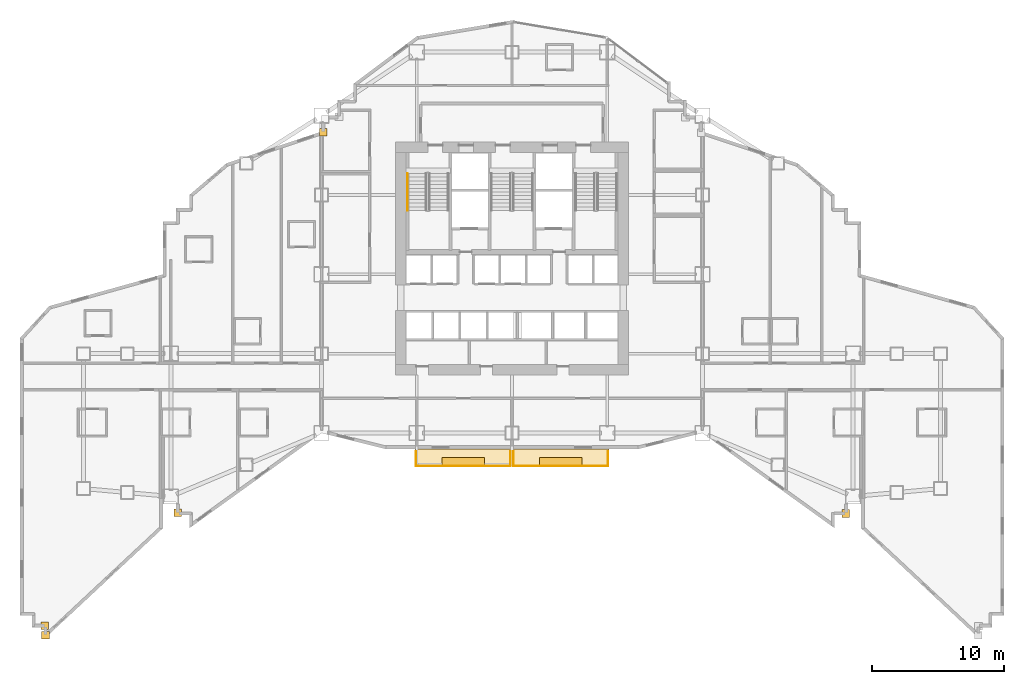
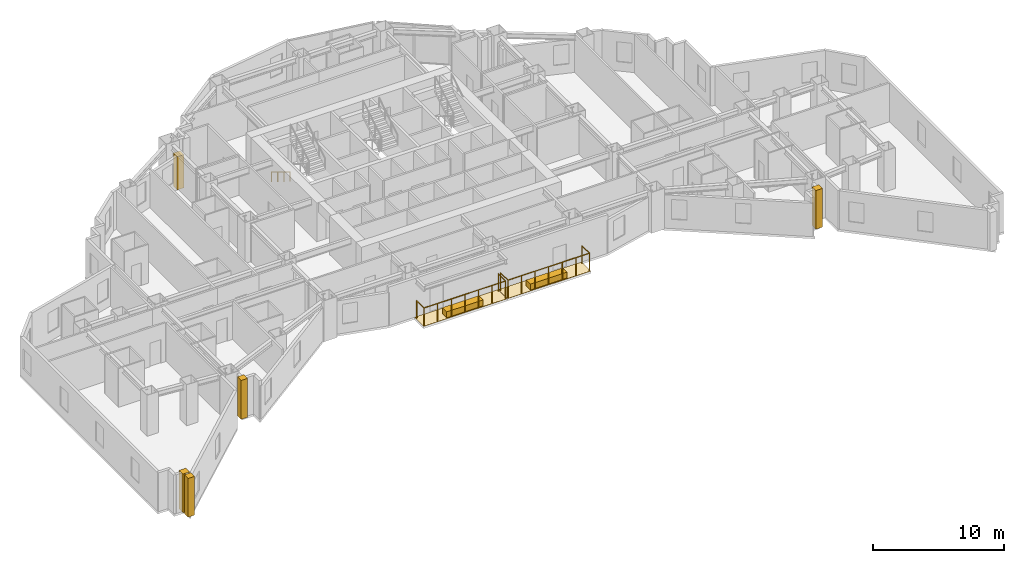
# One storey, part 14 of 16: 9 coverings, 5 railings.
"""IFC4 building model written with IfcOpenShell, lengths in metres."""

import ifcopenshell
import ifcopenshell.guid

model = None  # the IFC model being written
_history = None  # IfcOwnerHistory: only IFC2X3 demands one
_inside = {}  # id of a spatial element -> (the spatial element, [elements in it])
_under = {}  # id of a project, library or spatial element -> (it, [spatial elements below it])
_declared = {}  # id of a project -> (the project, [libraries it declares])
_typed = {}  # id of a type object -> (the type object, [elements of that type])
_made_of = {}  # id of a material, layer set ... -> (it, [elements and type objects made of it])


def new_model(schema):
    """Start an empty IFC model of exactly this schema.

    Asked for "IFC4X3", IfcOpenShell would pick the latest addendum, in which some entities
    have other attributes; the version numbers below select the first issue.
    IFC2X3 requires an IfcOwnerHistory on every rooted entity: one is made here for all.
    """
    global model, _history
    if schema == "IFC4X3":
        model = ifcopenshell.file(schema_version=(4, 3, 0, 0))
    else:
        model = ifcopenshell.file(schema=schema)
    _inside.clear()
    _under.clear()
    _declared.clear()
    _typed.clear()
    _made_of.clear()
    _history = None
    if model.schema == "IFC2X3":
        org = make("IfcOrganization", Name="unknown")
        user = make(
            "IfcPersonAndOrganization",
            ThePerson=make("IfcPerson", FamilyName="unknown"),
            TheOrganization=org,
        )
        app = make(
            "IfcApplication",
            ApplicationDeveloper=org,
            Version="unknown",
            ApplicationFullName="unknown",
            ApplicationIdentifier="unknown",
        )
        _history = make(
            "IfcOwnerHistory",
            OwningUser=user,
            OwningApplication=app,
            ChangeAction="ADDED",
            CreationDate=0,
        )
    return model


def make(cls, **values):
    """One entity of the class cls with the attributes given. An attribute that is None is left unset."""
    return model.create_entity(
        cls, **{name: value for name, value in values.items() if value is not None}
    )


def rooted(cls, **values):
    """An entity with a GlobalId (a new one), such as an element, a storey or a relation."""
    return make(cls, GlobalId=ifcopenshell.guid.new(), OwnerHistory=_history, **values)


def si_unit(unit_type, name, prefix=None):
    """IfcSIUnit, for example si_unit("LENGTHUNIT", "METRE", prefix="MILLI")."""
    return make("IfcSIUnit", UnitType=unit_type, Prefix=prefix, Name=name)


def assignment(units):
    """IfcUnitAssignment: the units of a project."""
    return None if units is None else make("IfcUnitAssignment", Units=units)


def point(xyz):
    """IfcCartesianPoint."""
    return None if xyz is None else make("IfcCartesianPoint", Coordinates=xyz)


def direction(xyz):
    """IfcDirection."""
    return None if xyz is None else make("IfcDirection", DirectionRatios=xyz)


def frame(location, z_axis=None, x_axis=None):
    """IfcAxis2Placement3D, a coordinate frame: its origin and axes. An axis left out is left unset."""
    return make(
        "IfcAxis2Placement3D",
        Location=point(location),
        Axis=direction(z_axis),
        RefDirection=direction(x_axis),
    )


def frame_2d(location, x_axis=None):
    """IfcAxis2Placement2D, a coordinate frame in the plane: its origin and x axis."""
    return make(
        "IfcAxis2Placement2D", Location=point(location), RefDirection=direction(x_axis)
    )


def origin():
    """The frame at (0, 0, 0) with its axes left unset."""
    return frame((0.0, 0.0, 0.0))


def origin_2d():
    """The frame at (0, 0) in the plane with its x axis left unset."""
    return frame_2d((0.0, 0.0))


def place(relative_to, where):
    """IfcLocalPlacement: puts the frame where relative to a parent placement (None: the world)."""
    return make(
        "IfcLocalPlacement", PlacementRelTo=relative_to, RelativePlacement=where
    )


def context(
    kind, dimensions, precision=None, world=None, true_north=None, identifier=None
):
    """IfcGeometricRepresentationContext, for example the 3D "Model" context."""
    return make(
        "IfcGeometricRepresentationContext",
        ContextIdentifier=identifier,
        ContextType=kind,
        CoordinateSpaceDimension=dimensions,
        Precision=precision,
        WorldCoordinateSystem=world,
        TrueNorth=true_north,
    )


def subcontext(parent, identifier, kind, view, scale=None):
    """IfcGeometricRepresentationSubContext, for example "Body" below "Model"."""
    return make(
        "IfcGeometricRepresentationSubContext",
        ContextIdentifier=identifier,
        ContextType=kind,
        ParentContext=parent,
        TargetScale=scale,
        TargetView=view,
    )


def project(units=None, contexts=None):
    """IfcProject with its units and contexts."""
    return rooted(
        "IfcProject",
        Name="project",
        RepresentationContexts=contexts,
        UnitsInContext=assignment(units),
    )


def spatial(cls, under=None, at=None, **own):
    """A site, building, storey or space (cls), placed at a placement, below another one or the project."""
    s = rooted(cls, ObjectPlacement=at, **own)
    if under is not None:
        _under.setdefault(under.id(), (under, []))[1].append(s)
    return s


def polyline(points):
    """IfcPolyline through the points."""
    return make("IfcPolyline", Points=[point(p) for p in points])


def profile(cls, at=None, kind="AREA", **sizes):
    """A parametric profile (cls). Its sizes go by their IFC names, for example OverallWidth=200.0."""
    return make(cls, ProfileType=kind, Position=at, **sizes)


def rectangle(**sizes):
    """IfcRectangleProfileDef."""
    return profile("IfcRectangleProfileDef", **sizes)


def circle(**sizes):
    """IfcCircleProfileDef."""
    return profile("IfcCircleProfileDef", **sizes)


def outline(outer, holes=None, kind="AREA"):
    """IfcArbitraryClosedProfileDef: a profile drawn as a closed curve; with holes, ...WithVoids."""
    if holes is None:
        return make("IfcArbitraryClosedProfileDef", ProfileType=kind, OuterCurve=outer)
    return make(
        "IfcArbitraryProfileDefWithVoids",
        ProfileType=kind,
        OuterCurve=outer,
        InnerCurves=holes,
    )


def extrude(swept, where, along, depth):
    """IfcExtrudedAreaSolid: the profile swept, set in the frame where, extruded along a direction by depth."""
    return make(
        "IfcExtrudedAreaSolid",
        SweptArea=swept,
        Position=where,
        ExtrudedDirection=direction(along),
        Depth=depth,
    )


def shape(context_of_items, identifier, shape_type, items):
    """IfcShapeRepresentation: the items that make up one representation, for example the "Body"."""
    return make(
        "IfcShapeRepresentation",
        ContextOfItems=context_of_items,
        RepresentationIdentifier=identifier,
        RepresentationType=shape_type,
        Items=items,
    )


def material(Name=None, Category=None):
    """IfcMaterial."""
    return make("IfcMaterial", Name=Name, Category=Category)


def layer(
    of_material, thickness, ventilated=None, Name=None, Category=None, Priority=None
):
    """IfcMaterialLayer: one layer of a wall or slab, of a material (None: an air gap)."""
    return make(
        "IfcMaterialLayer",
        Material=of_material,
        LayerThickness=thickness,
        IsVentilated=ventilated,
        Name=Name,
        Category=Category,
        Priority=Priority,
    )


def layer_set(layers, Name=None):
    """IfcMaterialLayerSet."""
    return make("IfcMaterialLayerSet", MaterialLayers=layers, LayerSetName=Name)


def made_of(thing, what):
    """Note that an element or type object is made of a material, layer set ...; save() writes the relation."""
    if what is not None:
        _made_of.setdefault(what.id(), (what, []))[1].append(thing)
    return thing


def type_object(cls, material=None, **own):
    """A type object (cls), such as IfcWallType, which elements share."""
    return made_of(rooted(cls, **own), material)


def element(
    cls,
    number,
    at=None,
    inside=None,
    cuts=None,
    type_object=None,
    material=None,
    context=None,
    identifier="Body",
    shape_type=None,
    held_by="IfcProductDefinitionShape",
    body=None,
    shapes=None,
    **own,
):
    """One element of the class cls, such as IfcWall. Its Tag is "e" and its number.

    at: its placement. inside: the storey or other place that contains it. cuts: it is an
    opening in that element (IfcRelVoidsElement). A single representation is given by context,
    identifier, shape_type and body (its items); several are given by shapes. held_by: the class
    of the entity that holds the representations. save() writes the other relations.
    """
    e = rooted(cls, Tag="e%d" % number, ObjectPlacement=at, **own)
    if body is not None:
        shapes = [shape(context, identifier, shape_type, body)]
    if shapes is not None:
        e.Representation = make(held_by, Representations=shapes)
    if inside is not None:
        _inside.setdefault(inside.id(), (inside, []))[1].append(e)
    if cuts is not None:
        rooted(
            "IfcRelVoidsElement", RelatingBuildingElement=cuts, RelatedOpeningElement=e
        )
    if type_object is not None:
        _typed.setdefault(type_object.id(), (type_object, []))[1].append(e)
    return made_of(e, material)


def aggregate(whole, parts):
    """IfcRelAggregates: a whole, such as a stair, and the parts it consists of."""
    return rooted("IfcRelAggregates", RelatingObject=whole, RelatedObjects=parts)


def save(model, path):
    """Write the relations noted so far, then the file.

    IfcRelAggregates (storeys below a building ...), IfcRelContainedInSpatialStructure (elements
    in a storey), IfcRelDefinesByType, IfcRelAssociatesMaterial and IfcRelDeclares: one each for
    every whole, place, type object, material and project.
    """
    for whole, parts in _under.values():
        aggregate(whole, parts)
    for where, things in _inside.values():
        rooted(
            "IfcRelContainedInSpatialStructure",
            RelatedElements=things,
            RelatingStructure=where,
        )
    for kind, things in _typed.values():
        rooted("IfcRelDefinesByType", RelatedObjects=things, RelatingType=kind)
    for what, things in _made_of.values():
        rooted("IfcRelAssociatesMaterial", RelatedObjects=things, RelatingMaterial=what)
    for by, libraries in _declared.values():
        rooted("IfcRelDeclares", RelatingContext=by, RelatedDefinitions=libraries)
    model.write(path)


model = new_model("IFC4")

# Units and contexts
model_context = context("Model", 3, precision=1e-05, world=origin(), true_north=direction((0.0, 1.0)))
body_context = subcontext(model_context, "Body", "Model", "MODEL_VIEW")
ifc_project = project(units=[si_unit("LENGTHUNIT", "METRE"), si_unit("AREAUNIT", "SQUARE_METRE"), si_unit("VOLUMEUNIT", "CUBIC_METRE"), si_unit("PLANEANGLEUNIT", "RADIAN"), si_unit("MASSUNIT", "GRAM", prefix="KILO")], contexts=[model_context])

# Site, building, storey
site_placement = place(None, origin())
site = spatial("IfcSite", under=ifc_project, at=site_placement, CompositionType="ELEMENT")
building_placement = place(site_placement, origin())
building = spatial("IfcBuilding", under=site, at=building_placement, Name="Haolan Belvedere Tower", CompositionType="ELEMENT")
storey_placement = place(building_placement, frame((0.0, 0.0, 74.199951171875)))
storey = spatial("IfcBuildingStorey", under=building, at=storey_placement, Name="L18", CompositionType="ELEMENT", Elevation=74.199951171875)

# Coverings
ifc_material_1 = material(Name="Pale champagne-silver anodised aluminium rainscreen cladding", Category="aluminium")
ifc_layer_1 = layer(ifc_material_1, 0.034912109375, Name="Pale champagne-silver anodised aluminium rainscreen cladding")
ifc_layer_set_1 = layer_set([ifc_layer_1], Name="Pale champagne-silver anodised aluminium rainscreen cladding")
covering_type_1 = type_object("IfcCoveringType", Name="COV-CLAD-35", PredefinedType="CLADDING", material=ifc_layer_set_1)
for number, where, z_axis, x_axis, name in (
    (1, (3.077392578125, 7.02001953125, 0.0), (0.0, 0.0, 1.0), (1.0, 0.0, 0.0), "L18 pale-metal serrated corner cladding trim 1"),
    (2, (3.1201171875, 6.318603515625, 0.0), (0.0, 0.0, 1.0), (1.0, 0.0, 0.0), "L18 pale-metal serrated corner cladding trim 2"),
    (3, (13.1201171875, 15.5625, 0.0), (0.0, 0.0, 1.0), (1.0, 0.0, 0.0), "L18 pale-metal serrated corner cladding trim 3"),
    (4, (63.637451171875, 15.52001953125, 0.0), (0.0, 0.0, 1.0), (1.0, 0.0, 0.0), "L18 pale-metal serrated corner cladding trim 4"),
):
    element("IfcCovering", number, at=place(storey_placement, frame(where, z_axis=z_axis, x_axis=x_axis)), inside=storey, type_object=covering_type_1, Name=name, PredefinedType="CLADDING", context=body_context, shape_type="SweptSolid", body=[
        extrude(rectangle(XDim=0.580078125, YDim=0.580078125, at=origin_2d()), origin(), (0.0, 0.0, 1.0), 3.60009765625),
    ])
covering_1_placement = place(storey_placement, frame((24.1201171875, 44.35595703125, 0.0), z_axis=(0.0, 0.0, 1.0), x_axis=(1.0, 0.0, 0.0)))
element("IfcCovering", 5, at=covering_1_placement, inside=storey, type_object=covering_type_1, Name="L18 pale-metal serrated corner cladding trim 10", PredefinedType="CLADDING", context=body_context, shape_type="SweptSolid", body=[
    extrude(rectangle(XDim=0.580078125, YDim=0.580078125, at=origin_2d()), origin(), (0.0, 0.0, 1.0), 3.096923828125),
])
ifc_material_2 = material(Name="Engineered lightweight planted garden soil substrate", Category="masonry")
ifc_layer_2 = layer(ifc_material_2, 0.550048828125, Name="Engineered lightweight planted garden soil substrate")
ifc_layer_set_2 = layer_set([ifc_layer_2], Name="Engineered lightweight planted garden soil substrate")
covering_type_2 = type_object("IfcCoveringType", Name="COV-PLANT-550", PredefinedType="MEMBRANE", material=ifc_layer_set_2)
for number, where, z_axis, x_axis, name in (
    (6, (34.715087890625, 19.43994140625, 0.0), (0.0, 0.0, 1.0), (1.0, 0.0, 0.0), "L18 structural tree balcony PLANTER box 1"),
    (7, (42.0849609375, 19.43994140625, 0.0), (0.0, 0.0, 1.0), (1.0, 0.0, 0.0), "L18 structural tree balcony PLANTER box 2"),
):
    element("IfcCovering", number, at=place(storey_placement, frame(where, z_axis=z_axis, x_axis=x_axis)), inside=storey, type_object=covering_type_2, Name=name, PredefinedType="MEMBRANE", context=body_context, shape_type="SweptSolid", body=[
        extrude(rectangle(XDim=3.199951171875, YDim=0.64990234375, at=origin_2d()), origin(), (0.0, 0.0, 1.0), 0.550048828125),
    ])
ifc_material_3 = material(Name="Elastomeric waterproof roofing membrane and stone pavers", Category="masonry")
ifc_layer_3 = layer(ifc_material_3, 0.02001953125, Name="Elastomeric waterproof roofing membrane and stone pavers")
ifc_layer_set_3 = layer_set([ifc_layer_3], Name="Elastomeric waterproof roofing membrane and stone pavers")
covering_type_3 = type_object("IfcCoveringType", Name="COV-ROOF-20", PredefinedType="ROOFING", material=ifc_layer_set_3)
covering_2_placement = place(storey_placement, frame((0.0, 0.0, -0.02001953125)))
element("IfcCovering", 8, at=covering_2_placement, inside=storey, type_object=covering_type_3, Name="L18 tree-balcony waterproof membrane 1", PredefinedType="ROOFING", context=body_context, shape_type="SweptSolid", body=[
    extrude(outline(polyline([(31.050048828125, 19.02001953125), (38.3798828125, 19.02001953125), (38.3798828125, 20.39990234375), (31.050048828125, 20.39990234375), (31.050048828125, 19.02001953125)])), origin(), (0.0, 0.0, 1.0), 0.02001953125),
])
covering_3_placement = place(storey_placement, frame((0.0, 0.0, -0.02001953125)))
element("IfcCovering", 9, at=covering_3_placement, inside=storey, type_object=covering_type_3, Name="L18 tree-balcony waterproof membrane 2", PredefinedType="ROOFING", context=body_context, shape_type="SweptSolid", body=[
    extrude(outline(polyline([(38.419921875, 19.02001953125), (45.75, 19.02001953125), (45.75, 20.39990234375), (38.419921875, 20.39990234375), (38.419921875, 19.02001953125)])), origin(), (0.0, 0.0, 1.0), 0.02001953125),
])

# Railings
ifc_material_4 = material(Name="Brushed stainless steel 304", Category="steel")
railing_type_1 = type_object("IfcRailingType", Name="RL-STAIR-HND-900", PredefinedType="HANDRAIL", material=ifc_material_4)
railing_1_placement = place(storey_placement, frame((30.5, 41.22998046875, 0.1728515625)))
element("IfcRailing", 10, at=railing_1_placement, inside=storey, type_object=railing_type_1, Name="L18 ST1 stair handrail 1", PredefinedType="HANDRAIL", context=body_context, shape_type="SweptSolid", body=[
    extrude(circle(Radius=0.02392578125, at=origin_2d()), frame((0.0, 0.0, 0.8759765625), z_axis=(0.0, -0.851089632645, 0.525020415988), x_axis=(1.0, 0.0, 0.0)), (0.0, 0.0, 1.0), 3.2900390625),
    extrude(circle(Radius=0.02099609375, at=origin_2d()), origin(), (0.0, 0.0, 1.0), 0.851806640625),
    extrude(circle(Radius=0.02099609375, at=origin_2d()), frame((0.0, -0.933349609375, 0.57568359375)), (0.0, 0.0, 1.0), 0.851806640625),
    extrude(circle(Radius=0.02099609375, at=origin_2d()), frame((0.0, -1.86669921875, 1.151611328125)), (0.0, 0.0, 1.0), 0.851806640625),
    extrude(circle(Radius=0.02099609375, at=origin_2d()), frame((0.0, -2.800048828125, 1.727294921875)), (0.0, 0.0, 1.0), 0.851806640625),
])
ifc_material_5 = material(Name="Anodised aluminium and laminated glass balustrade", Category="aluminium")
railing_type_2 = type_object("IfcRailingType", Name="RL-TER-BAL-1150", PredefinedType="BALUSTRADE", material=ifc_material_5)
railing_2_placement = place(storey_placement, frame((31.1298828125, 19.10009765625, 0.0)))
element("IfcRailing", 11, at=railing_2_placement, inside=storey, type_object=railing_type_2, Name="L18 outdoor perimeter balustrade BAL-L18-1-1", PredefinedType="BALUSTRADE", context=body_context, shape_type="SweptSolid", body=[
    extrude(circle(Radius=0.02392578125, at=origin_2d()), frame((0.0, 0.0, 1.6259765625), z_axis=(0.0, 1.0, 0.0), x_axis=(-1.0, 0.0, 0.0)), (0.0, 0.0, 1.0), 1.119873046875),
    extrude(circle(Radius=0.02099609375, at=origin_2d()), origin(), (0.0, 0.0, 1.0), 1.601806640625),
    extrude(circle(Radius=0.02099609375, at=origin_2d()), frame((0.0, 1.119873046875, 0.0)), (0.0, 0.0, 1.0), 1.601806640625),
])
railing_3_placement = place(storey_placement, frame((38.300048828125, 20.219970703125, 0.0)))
element("IfcRailing", 12, at=railing_3_placement, inside=storey, type_object=railing_type_2, Name="L18 outdoor perimeter balustrade BAL-L18-1-2", PredefinedType="BALUSTRADE", context=body_context, shape_type="SweptSolid", body=[
    extrude(circle(Radius=0.02392578125, at=origin_2d()), frame((0.0, 0.0, 1.6259765625), z_axis=(0.0, -1.0, 0.0), x_axis=(1.0, 0.0, 0.0)), (0.0, 0.0, 1.0), 1.119873046875),
    extrude(circle(Radius=0.02392578125, at=origin_2d()), frame((0.0, -1.119873046875, 1.6259765625), z_axis=(-1.0, 0.0, 0.0), x_axis=(0.0, -1.0, 0.0)), (0.0, 0.0, 1.0), 7.170166015625),
    extrude(circle(Radius=0.02099609375, at=origin_2d()), origin(), (0.0, 0.0, 1.0), 1.601806640625),
    extrude(circle(Radius=0.02099609375, at=origin_2d()), frame((0.0, -1.119873046875, 0.0)), (0.0, 0.0, 1.0), 1.601806640625),
    extrude(circle(Radius=0.02099609375, at=origin_2d()), frame((-1.195068359375, -1.119873046875, 0.0)), (0.0, 0.0, 1.0), 1.601806640625),
    extrude(circle(Radius=0.02099609375, at=origin_2d()), frame((-2.39013671875, -1.119873046875, 0.0)), (0.0, 0.0, 1.0), 1.601806640625),
    extrude(circle(Radius=0.02099609375, at=origin_2d()), frame((-3.5849609375, -1.119873046875, 0.0)), (0.0, 0.0, 1.0), 1.601806640625),
    extrude(circle(Radius=0.02099609375, at=origin_2d()), frame((-4.780029296875, -1.119873046875, 0.0)), (0.0, 0.0, 1.0), 1.601806640625),
    extrude(circle(Radius=0.02099609375, at=origin_2d()), frame((-5.97509765625, -1.119873046875, 0.0)), (0.0, 0.0, 1.0), 1.601806640625),
    extrude(circle(Radius=0.02099609375, at=origin_2d()), frame((-7.170166015625, -1.119873046875, 0.0)), (0.0, 0.0, 1.0), 1.601806640625),
])
railing_4_placement = place(storey_placement, frame((38.5, 19.10009765625, 0.0)))
element("IfcRailing", 13, at=railing_4_placement, inside=storey, type_object=railing_type_2, Name="L18 outdoor perimeter balustrade BAL-L18-2-1", PredefinedType="BALUSTRADE", context=body_context, shape_type="SweptSolid", body=[
    extrude(circle(Radius=0.02392578125, at=origin_2d()), frame((0.0, 0.0, 1.6259765625), z_axis=(0.0, 1.0, 0.0), x_axis=(-1.0, 0.0, 0.0)), (0.0, 0.0, 1.0), 1.119873046875),
    extrude(circle(Radius=0.02099609375, at=origin_2d()), origin(), (0.0, 0.0, 1.0), 1.601806640625),
    extrude(circle(Radius=0.02099609375, at=origin_2d()), frame((0.0, 1.119873046875, 0.0)), (0.0, 0.0, 1.0), 1.601806640625),
])
railing_5_placement = place(storey_placement, frame((45.669921875, 20.219970703125, 0.0)))
element("IfcRailing", 14, at=railing_5_placement, inside=storey, type_object=railing_type_2, Name="L18 outdoor perimeter balustrade BAL-L18-2-2", PredefinedType="BALUSTRADE", context=body_context, shape_type="SweptSolid", body=[
    extrude(circle(Radius=0.02392578125, at=origin_2d()), frame((0.0, 0.0, 1.6259765625), z_axis=(0.0, -1.0, 0.0), x_axis=(1.0, 0.0, 0.0)), (0.0, 0.0, 1.0), 1.119873046875),
    extrude(circle(Radius=0.02392578125, at=origin_2d()), frame((0.0, -1.119873046875, 1.6259765625), z_axis=(-1.0, 0.0, 0.0), x_axis=(0.0, -1.0, 0.0)), (0.0, 0.0, 1.0), 7.169921875),
    extrude(circle(Radius=0.02099609375, at=origin_2d()), origin(), (0.0, 0.0, 1.0), 1.601806640625),
    extrude(circle(Radius=0.02099609375, at=origin_2d()), frame((0.0, -1.119873046875, 0.0)), (0.0, 0.0, 1.0), 1.601806640625),
    extrude(circle(Radius=0.02099609375, at=origin_2d()), frame((-1.195068359375, -1.119873046875, 0.0)), (0.0, 0.0, 1.0), 1.601806640625),
    extrude(circle(Radius=0.02099609375, at=origin_2d()), frame((-2.389892578125, -1.119873046875, 0.0)), (0.0, 0.0, 1.0), 1.601806640625),
    extrude(circle(Radius=0.02099609375, at=origin_2d()), frame((-3.5849609375, -1.119873046875, 0.0)), (0.0, 0.0, 1.0), 1.601806640625),
    extrude(circle(Radius=0.02099609375, at=origin_2d()), frame((-4.780029296875, -1.119873046875, 0.0)), (0.0, 0.0, 1.0), 1.601806640625),
    extrude(circle(Radius=0.02099609375, at=origin_2d()), frame((-5.974853515625, -1.119873046875, 0.0)), (0.0, 0.0, 1.0), 1.601806640625),
    extrude(circle(Radius=0.02099609375, at=origin_2d()), frame((-7.169921875, -1.119873046875, 0.0)), (0.0, 0.0, 1.0), 1.601806640625),
])

save(model, "model.ifc")
